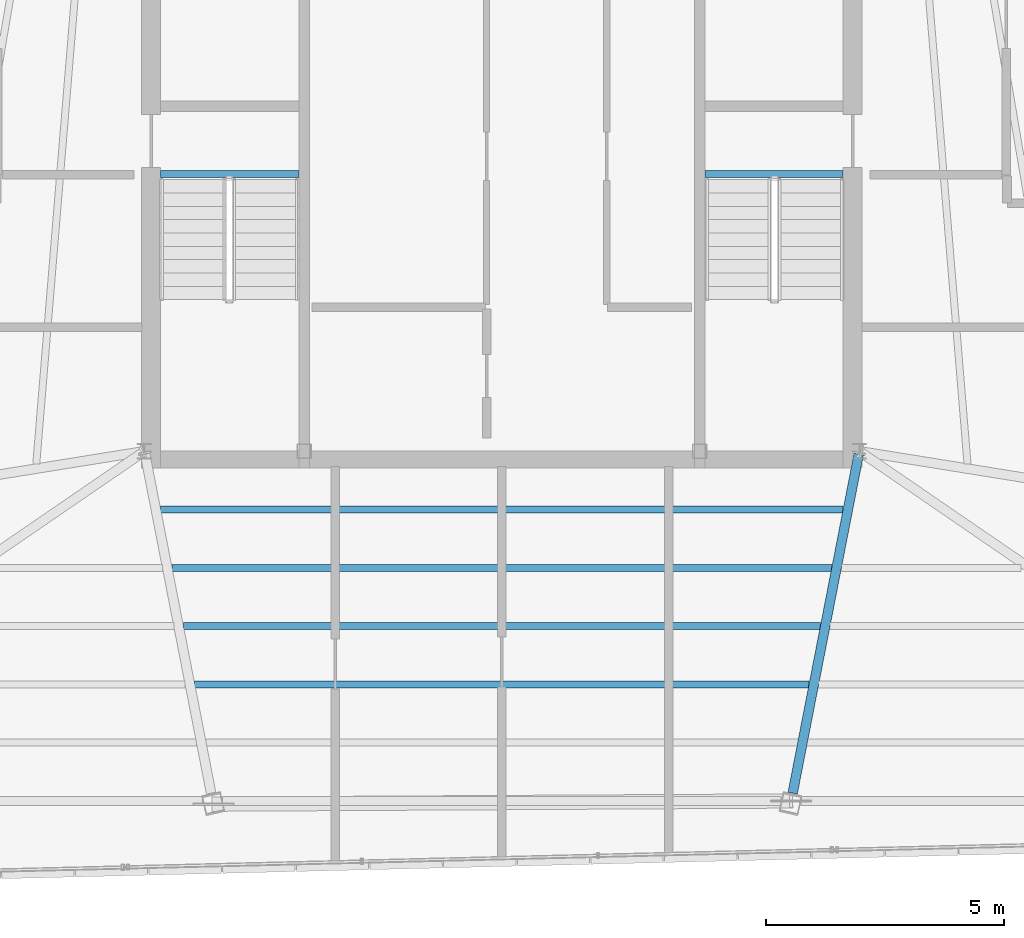
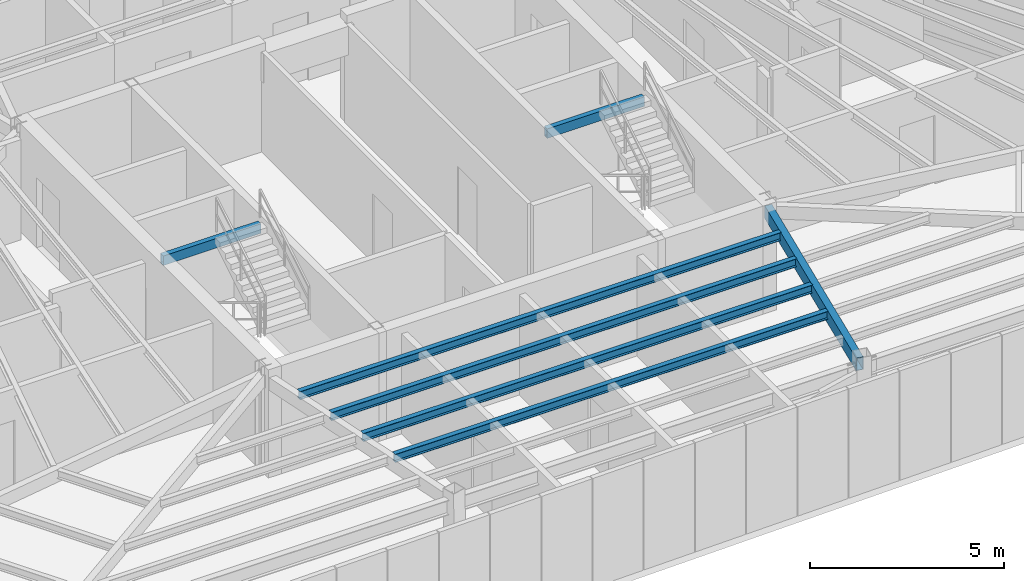
# One storey, part 16 of 44: 7 beams.
"""IFC4 building model written with IfcOpenShell, lengths in metres."""

from ifc_helpers import new_model, si_unit, direction, frame, origin, origin_2d, place, context, subcontext, project, spatial, hollow_rectangle, i_section, extrude, source, transform, mapped, material, material_profile, profile_set, type_object, type_shapes, element, save


model = new_model("IFC4")

# Units and contexts
model_context = context("Model", 3, precision=1e-05, world=origin(), true_north=direction((0.0, 1.0)))
body_context = subcontext(model_context, "Body", "Model", "MODEL_VIEW")
ifc_project = project(units=[si_unit("LENGTHUNIT", "METRE"), si_unit("AREAUNIT", "SQUARE_METRE"), si_unit("VOLUMEUNIT", "CUBIC_METRE"), si_unit("PLANEANGLEUNIT", "RADIAN"), si_unit("MASSUNIT", "GRAM", prefix="KILO")], contexts=[model_context])

# Site, building, storey
site_placement = place(None, origin())
site = spatial("IfcSite", under=ifc_project, at=site_placement, CompositionType="ELEMENT")
building_placement = place(site_placement, origin())
building = spatial("IfcBuilding", under=site, at=building_placement, Name="Caelisora Broadcast Tower", CompositionType="ELEMENT")
storey_placement = place(building_placement, frame((0.0, 0.0, 289.800048828125)))
storey = spatial("IfcBuildingStorey", under=building, at=storey_placement, Name="L76", CompositionType="ELEMENT", Elevation=289.800048828125)

# Beams
ifc_material_1 = material(Name="Steel Grade 350 (AS/NZS 1163 C350L0)", Category="steel")
ifc_material_profile_1 = material_profile(ifc_material_1, hollow_rectangle(XDim=0.14990234375, YDim=0.300048828125, WallThickness=0.010009765625, at=origin_2d()), Name="Steel Grade 350 (AS/NZS 1163 C350L0)")
ifc_profile_set_1 = profile_set([ifc_material_profile_1], Name="Steel Grade 350 (AS/NZS 1163 C350L0)")
beam_type_1 = type_object("IfcBeamType", Name="SB05", PredefinedType="JOIST", material=ifc_profile_set_1)
shared_shape_1 = source(origin(), body_context, "Body", "SweptSolid", [
    extrude(hollow_rectangle(XDim=0.14990234375, YDim=0.300048828125, WallThickness=0.010009765625, at=origin_2d()), origin(), (0.0, 0.0, 1.0), 2.89990234375),
])
type_shapes(beam_type_1, [shared_shape_1])
for number, where, z_axis, x_axis, name in (
    (1, (30.840087890625, 23.219970703125, 3.0), (1.0, 0.0, 0.0), (0.0, 1.0, 0.0), "L76 beam SB05"),
    (2, (42.260009765625, 23.219970703125, 3.0), (1.0, 0.0, 0.0), (0.0, 1.0, 0.0), "L76 beam SB05"),
):
    element("IfcBeam", number, at=place(storey_placement, frame(where, z_axis=z_axis, x_axis=x_axis)), inside=storey, type_object=beam_type_1, Name=name, PredefinedType="JOIST", context=body_context, shape_type="MappedRepresentation", body=[
        mapped(shared_shape_1, transform((0.0, 0.0, 0.0), scale=1.0)),
    ])
ifc_material_profile_2 = material_profile(ifc_material_1, hollow_rectangle(XDim=0.199951171875, YDim=0.39990234375, WallThickness=0.012451171875, at=origin_2d()), Name="Steel Grade 350 (AS/NZS 1163 C350L0)")
ifc_profile_set_2 = profile_set([ifc_material_profile_2], Name="Steel Grade 350 (AS/NZS 1163 C350L0)")
beam_type_2 = type_object("IfcBeamType", Name="PG07", PredefinedType="BEAM", material=ifc_profile_set_2)
shared_shape_2 = source(origin(), body_context, "Body", "SweptSolid", [
    extrude(hollow_rectangle(XDim=0.199951171875, YDim=0.39990234375, WallThickness=0.012451171875, at=origin_2d()), origin(), (0.0, 0.0, 1.0), 7.249267578125),
])
type_shapes(beam_type_2, [shared_shape_2])
beam_1_placement = place(storey_placement, frame((45.488525390625, 17.341064453125, 2.949951171875), z_axis=(-0.191288796428, -0.98153379787, 0.0), x_axis=(0.98153379787, -0.191288796428, 0.0)))
element("IfcBeam", 3, at=beam_1_placement, inside=storey, type_object=beam_type_2, Name="L76 beam PG07", PredefinedType="BEAM", context=body_context, shape_type="MappedRepresentation", body=[
    mapped(shared_shape_2, transform((0.0, 0.0, 0.0), scale=1.0)),
])
ifc_material_2 = material(Name="Steel Grade 350 (AS/NZS 3679.1)", Category="steel")
ifc_material_profile_3 = material_profile(ifc_material_2, i_section(OverallWidth=0.14599609375, OverallDepth=0.256103515625, WebThickness=0.00634765625, FlangeThickness=0.010986328125, at=origin_2d()), Name="Steel Grade 350 (AS/NZS 3679.1)")
ifc_profile_set_3 = profile_set([ifc_material_profile_3], Name="Steel Grade 350 (AS/NZS 3679.1)")
beam_type_3 = type_object("IfcBeamType", Name="SB04", PredefinedType="JOIST", material=ifc_profile_set_3)
shared_shape_3 = source(origin(), body_context, "Body", "SweptSolid", [
    extrude(i_section(OverallWidth=0.14599609375, OverallDepth=0.256103515625, WebThickness=0.00634765625, FlangeThickness=0.010986328125, at=origin_2d()), origin(), (0.0, 0.0, 1.0), 14.3251953125),
])
beam_2_placement = place(storey_placement, frame((30.83740234375, 16.1767578125, 3.02197265625), z_axis=(1.0, 0.0, 0.0), x_axis=(0.0, 1.0, 0.0)))
element("IfcBeam", 4, at=beam_2_placement, inside=storey, type_object=beam_type_3, Name="L76 beam SB04", PredefinedType="JOIST", context=body_context, shape_type="MappedRepresentation", body=[
    mapped(shared_shape_3, transform((0.0, 0.0, 0.0), scale=1.0)),
])
shared_shape_4 = source(origin(), body_context, "Body", "SweptSolid", [
    extrude(i_section(OverallWidth=0.14599609375, OverallDepth=0.256103515625, WebThickness=0.00634765625, FlangeThickness=0.010986328125, at=origin_2d()), origin(), (0.0, 0.0, 1.0), 13.8486328125),
])
beam_3_placement = place(storey_placement, frame((31.07568359375, 14.95361328125, 3.02197265625), z_axis=(1.0, 0.0, 0.0), x_axis=(0.0, 1.0, 0.0)))
element("IfcBeam", 5, at=beam_3_placement, inside=storey, type_object=beam_type_3, Name="L76 beam SB04", PredefinedType="JOIST", context=body_context, shape_type="MappedRepresentation", body=[
    mapped(shared_shape_4, transform((0.0, 0.0, 0.0), scale=1.0)),
])
shared_shape_5 = source(origin(), body_context, "Body", "SweptSolid", [
    extrude(i_section(OverallWidth=0.14599609375, OverallDepth=0.256103515625, WebThickness=0.00634765625, FlangeThickness=0.010986328125, at=origin_2d()), origin(), (0.0, 0.0, 1.0), 13.3720703125),
])
beam_4_placement = place(storey_placement, frame((31.31396484375, 13.73046875, 3.02197265625), z_axis=(1.0, 0.0, 0.0), x_axis=(0.0, 1.0, 0.0)))
element("IfcBeam", 6, at=beam_4_placement, inside=storey, type_object=beam_type_3, Name="L76 beam SB04", PredefinedType="JOIST", context=body_context, shape_type="MappedRepresentation", body=[
    mapped(shared_shape_5, transform((0.0, 0.0, 0.0), scale=1.0)),
])
shared_shape_6 = source(origin(), body_context, "Body", "SweptSolid", [
    extrude(i_section(OverallWidth=0.14599609375, OverallDepth=0.256103515625, WebThickness=0.00634765625, FlangeThickness=0.010986328125, at=origin_2d()), origin(), (0.0, 0.0, 1.0), 12.89501953125),
])
type_shapes(beam_type_3, [shared_shape_3, shared_shape_4, shared_shape_5, shared_shape_6])
beam_5_placement = place(storey_placement, frame((31.552490234375, 12.507080078125, 3.02197265625), z_axis=(1.0, 0.0, 0.0), x_axis=(0.0, 1.0, 0.0)))
element("IfcBeam", 7, at=beam_5_placement, inside=storey, type_object=beam_type_3, Name="L76 beam SB04", PredefinedType="JOIST", context=body_context, shape_type="MappedRepresentation", body=[
    mapped(shared_shape_6, transform((0.0, 0.0, 0.0), scale=1.0)),
])

save(model, "model.ifc")
